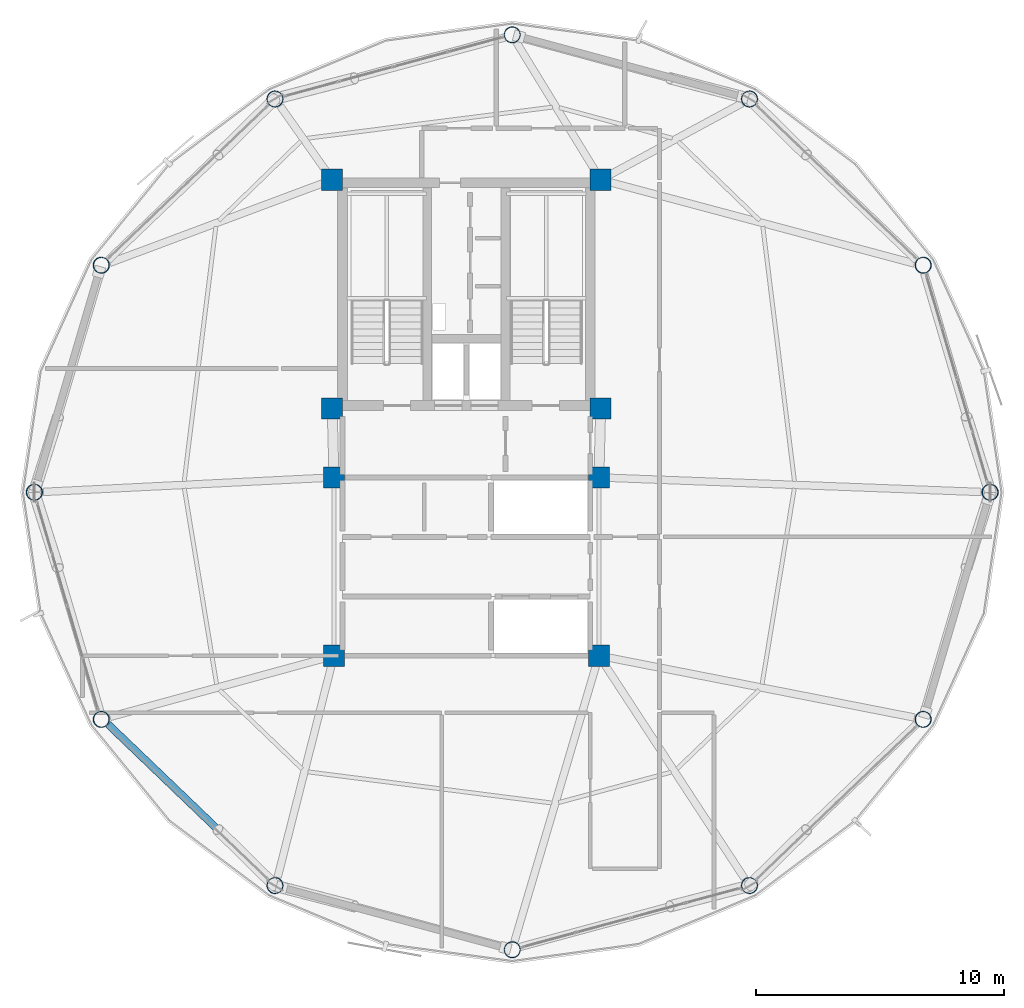
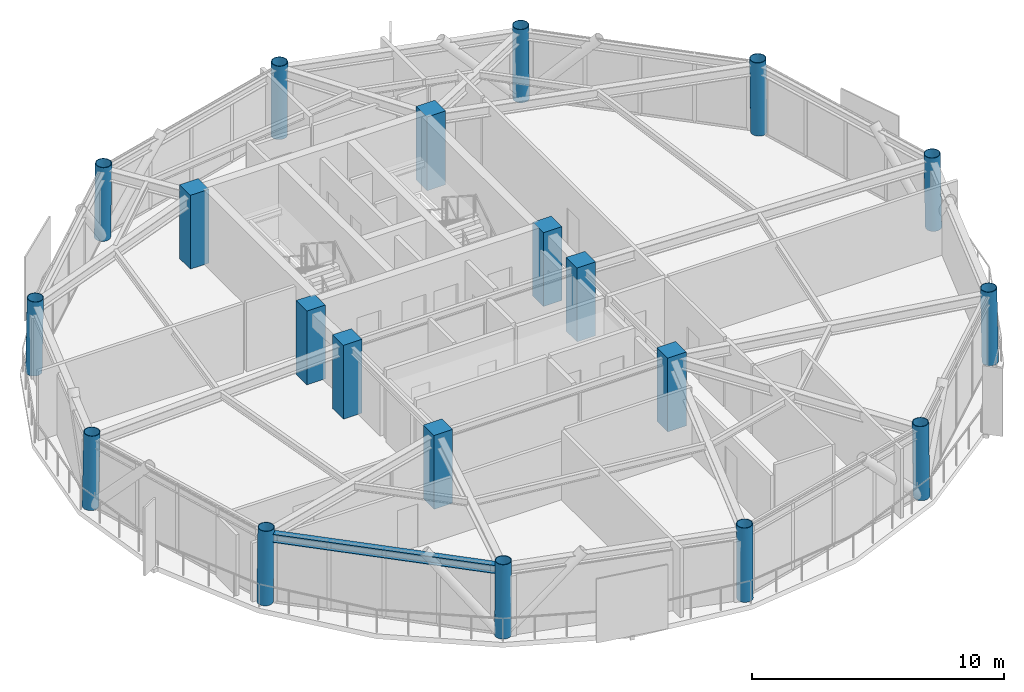
# One storey, part 1 of 28: 20 columns, 1 beam.
"""IFC4 building model written with IfcOpenShell, lengths in metres."""

from ifc_helpers import new_model, si_unit, direction, frame, origin, origin_2d, place, context, subcontext, project, spatial, rectangle, hollow_circle, i_section, extrude, material, material_profile, profile_set, type_object, element, save


model = new_model("IFC4")

# Units and contexts
model_context = context("Model", 3, precision=1e-05, world=origin(), true_north=direction((0.0, 1.0)))
body_context = subcontext(model_context, "Body", "Model", "MODEL_VIEW")
ifc_project = project(units=[si_unit("LENGTHUNIT", "METRE"), si_unit("AREAUNIT", "SQUARE_METRE"), si_unit("VOLUMEUNIT", "CUBIC_METRE"), si_unit("PLANEANGLEUNIT", "RADIAN"), si_unit("MASSUNIT", "GRAM", prefix="KILO")], contexts=[model_context])

# Site, building, storey
site_placement = place(None, origin())
site = spatial("IfcSite", under=ifc_project, at=site_placement, CompositionType="ELEMENT")
building_placement = place(site_placement, origin())
building = spatial("IfcBuilding", under=site, at=building_placement, Name="Varnakorn Sky Granary", CompositionType="ELEMENT")
storey_placement = place(building_placement, frame((0.0, 0.0, 204.0)))
storey = spatial("IfcBuildingStorey", under=building, at=storey_placement, Name="L51", CompositionType="ELEMENT", Elevation=204.0)

# Columns
ifc_material_1 = material(Name="Steel S460M", Category="steel")
ifc_material_profile_1 = material_profile(ifc_material_1, hollow_circle(Radius=0.330078125, WallThickness=0.02490234375, at=origin_2d()), Name="CHS 660x25")
ifc_profile_set_1 = profile_set([ifc_material_profile_1], Name="Steel S460M")
column_type_1 = type_object("IfcColumnType", Name="COL-DC-Z4", PredefinedType="COLUMN", material=ifc_profile_set_1)
column_1_placement = place(storey_placement, frame((24.157958984375, 0.0, 0.0), z_axis=(-0.018981760075, 0.0, 0.999819830162), x_axis=(0.0, -1.0, 0.0)))
element("IfcColumn", 1, at=column_1_placement, inside=storey, type_object=column_type_1, Name="Drum Perimeter Column DC01 L51", PredefinedType="COLUMN", context=body_context, shape_type="SweptSolid", body=[
    extrude(hollow_circle(Radius=0.330078125, WallThickness=0.02490234375, at=origin_2d()), origin(), (0.0, 0.0, 1.0), 3.57568359375),
])
column_2_placement = place(storey_placement, frame((21.454345703125, 9.172119140625, 0.0), z_axis=(-0.016455959383, -0.00477973924, 0.999853166967), x_axis=(0.278928739366, -0.960311802674, 0.0)))
element("IfcColumn", 2, at=column_2_placement, inside=storey, type_object=column_type_1, Name="Drum Perimeter Column DC02 L51", PredefinedType="COLUMN", context=body_context, shape_type="SweptSolid", body=[
    extrude(hollow_circle(Radius=0.330078125, WallThickness=0.02490234375, at=origin_2d()), origin(), (0.0, 0.0, 1.0), 3.575439453125),
])
for number, where, z_axis, x_axis, name in (
    (3, (14.4365234375, 15.886474609375, 0.0), (-0.00949183863, -0.008262679671, 0.999920813427), (0.656581650754, -0.754254954172, 0.0), "Drum Perimeter Column DC03 L51"),
    (4, (4.85009765625, 18.47900390625, 0.0), (0.0, -0.00949216266, 0.999954948409), (1.0, 0.0, 0.0), "Drum Perimeter Column DC04 L51"),
    (5, (-4.736572265625, 15.886474609375, 0.0), (0.009560119021, -0.008262674296, 0.999920162982), (0.653901224294, 0.756579928935, 0.0), "Drum Perimeter Column DC05 L51"),
):
    element("IfcColumn", number, at=place(storey_placement, frame(where, z_axis=z_axis, x_axis=x_axis)), inside=storey, type_object=column_type_1, Name=name, PredefinedType="COLUMN", context=body_context, shape_type="SweptSolid", body=[
        extrude(hollow_circle(Radius=0.330078125, WallThickness=0.02490234375, at=origin_2d()), origin(), (0.0, 0.0, 1.0), 3.5751953125),
    ])
column_3_placement = place(storey_placement, frame((-11.75439453125, 9.172119140625, 0.0), z_axis=(0.016524222766, -0.004779733858, 0.999852041157), x_axis=(0.277865302681, 0.960620046411, 0.0)))
element("IfcColumn", 6, at=column_3_placement, inside=storey, type_object=column_type_1, Name="Drum Perimeter Column DC06 L51", PredefinedType="COLUMN", context=body_context, shape_type="SweptSolid", body=[
    extrude(hollow_circle(Radius=0.330078125, WallThickness=0.02490234375, at=origin_2d()), origin(), (0.0, 0.0, 1.0), 3.575439453125),
])
column_4_placement = place(storey_placement, frame((-14.4580078125, 0.0, 0.0), z_axis=(0.019050015053, 0.0, 0.999818531998), x_axis=(0.0, 1.0, 0.0)))
element("IfcColumn", 7, at=column_4_placement, inside=storey, type_object=column_type_1, Name="Drum Perimeter Column DC07 L51", PredefinedType="COLUMN", context=body_context, shape_type="SweptSolid", body=[
    extrude(hollow_circle(Radius=0.330078125, WallThickness=0.02490234375, at=origin_2d()), origin(), (0.0, 0.0, 1.0), 3.57568359375),
])
column_5_placement = place(storey_placement, frame((-11.75439453125, -9.172119140625, 0.0), z_axis=(0.016524222766, 0.004779733858, 0.999852041157), x_axis=(-0.277865302681, 0.960620046411, 0.0)))
element("IfcColumn", 8, at=column_5_placement, inside=storey, type_object=column_type_1, Name="Drum Perimeter Column DC08 L51", PredefinedType="COLUMN", context=body_context, shape_type="SweptSolid", body=[
    extrude(hollow_circle(Radius=0.330078125, WallThickness=0.02490234375, at=origin_2d()), origin(), (0.0, 0.0, 1.0), 3.575439453125),
])
for number, where, z_axis, x_axis, name in (
    (9, (-4.736572265625, -15.886474609375, 0.0), (0.009560119021, 0.008262674296, 0.999920162982), (-0.653901224294, 0.756579928935, 0.0), "Drum Perimeter Column DC09 L51"),
    (10, (4.85009765625, -18.47900390625, 0.0), (0.0, 0.00949216266, 0.999954948409), (-1.0, 0.0, 0.0), "Drum Perimeter Column DC10 L51"),
    (11, (14.4365234375, -15.886474609375, 0.0), (-0.00949183863, 0.008262679671, 0.999920813427), (-0.656581650754, -0.754254954172, 0.0), "Drum Perimeter Column DC11 L51"),
):
    element("IfcColumn", number, at=place(storey_placement, frame(where, z_axis=z_axis, x_axis=x_axis)), inside=storey, type_object=column_type_1, Name=name, PredefinedType="COLUMN", context=body_context, shape_type="SweptSolid", body=[
        extrude(hollow_circle(Radius=0.330078125, WallThickness=0.02490234375, at=origin_2d()), origin(), (0.0, 0.0, 1.0), 3.5751953125),
    ])
column_6_placement = place(storey_placement, frame((21.454345703125, -9.172119140625, 0.0), z_axis=(-0.016455959383, 0.00477973924, 0.999853166967), x_axis=(-0.278928739366, -0.960311802674, 0.0)))
element("IfcColumn", 12, at=column_6_placement, inside=storey, type_object=column_type_1, Name="Drum Perimeter Column DC12 L51", PredefinedType="COLUMN", context=body_context, shape_type="SweptSolid", body=[
    extrude(hollow_circle(Radius=0.330078125, WallThickness=0.02490234375, at=origin_2d()), origin(), (0.0, 0.0, 1.0), 3.575439453125),
])
ifc_material_2 = material(Name="Concrete C50/60", Category="concrete")
ifc_material_profile_2 = material_profile(ifc_material_2, rectangle(XDim=0.85009765625, YDim=0.85009765625, at=origin_2d()), Name="RC 850x850")
ifc_profile_set_2 = profile_set([ifc_material_profile_2], Name="Concrete C50/60")
column_type_2 = type_object("IfcColumnType", Name="COL-MC-Z4", PredefinedType="COLUMN", material=ifc_profile_set_2)
for number, where, z_axis, x_axis, name in (
    (13, (-2.419921875, 12.6201171875, 0.0), (0.0, 0.0, 1.0), (1.0, 0.0, 0.0), "Backbone Mega-Column MC1 L51"),
    (14, (8.419921875, 12.6201171875, 0.0), (0.0, 0.0, 1.0), (1.0, 0.0, 0.0), "Backbone Mega-Column MC2 L51"),
    (15, (-2.419921875, 3.3798828125, 0.0), (0.0, 0.0, 1.0), (1.0, 0.0, 0.0), "Backbone Mega-Column MC3 L51"),
    (16, (8.419921875, 3.3798828125, 0.0), (0.0, 0.0, 1.0), (1.0, 0.0, 0.0), "Backbone Mega-Column MC4 L51"),
    (17, (-2.35009765625, 0.60009765625, 0.0), (0.0, 0.0, 1.0), (1.0, 0.0, 0.0), "Backbone Mega-Column MC5 L51"),
    (18, (8.35009765625, 0.60009765625, 0.0), (0.0, 0.0, 1.0), (1.0, 0.0, 0.0), "Backbone Mega-Column MC6 L51"),
    (19, (-2.35009765625, -6.60009765625, 0.0), (0.0, 0.0, 1.0), (1.0, 0.0, 0.0), "Backbone Mega-Column MC7 L51"),
    (20, (8.35009765625, -6.60009765625, 0.0), (0.0, 0.0, 1.0), (1.0, 0.0, 0.0), "Backbone Mega-Column MC8 L51"),
):
    element("IfcColumn", number, at=place(storey_placement, frame(where, z_axis=z_axis, x_axis=x_axis)), inside=storey, type_object=column_type_2, Name=name, PredefinedType="COLUMN", context=body_context, shape_type="SweptSolid", body=[
        extrude(rectangle(XDim=0.85009765625, YDim=0.85009765625, at=origin_2d()), origin(), (0.0, 0.0, 1.0), 3.574951171875),
    ])

# Beam
ifc_material_3 = material(Name="Steel S355JR", Category="steel")
ifc_material_profile_3 = material_profile(ifc_material_3, i_section(OverallWidth=0.300048828125, OverallDepth=0.39990234375, WebThickness=0.013427734375, FlangeThickness=0.02392578125, at=origin_2d()), Name="HE 400 B")
ifc_profile_set_3 = profile_set([ifc_material_profile_3], Name="Steel S355JR")
beam_type = type_object("IfcBeamType", Name="BM-SPD-Z4", PredefinedType="SPANDREL", material=ifc_profile_set_3)
beam_placement = place(storey_placement, frame((-11.468017578125, -9.373046875, 3.159912109375), z_axis=(0.721976982037, -0.691917074084, 0.0), x_axis=(0.691917074084, 0.721976982037, 0.0)))
element("IfcBeam", 21, at=beam_placement, inside=storey, type_object=beam_type, Name="Perimeter Spandrel Ring Beam RB08 L51", PredefinedType="SPANDREL", context=body_context, shape_type="SweptSolid", body=[
    extrude(i_section(OverallWidth=0.300048828125, OverallDepth=0.39990234375, WebThickness=0.013427734375, FlangeThickness=0.02392578125, at=origin_2d()), origin(), (0.0, 0.0, 1.0), 9.055908203125),
])

save(model, "model.ifc")
